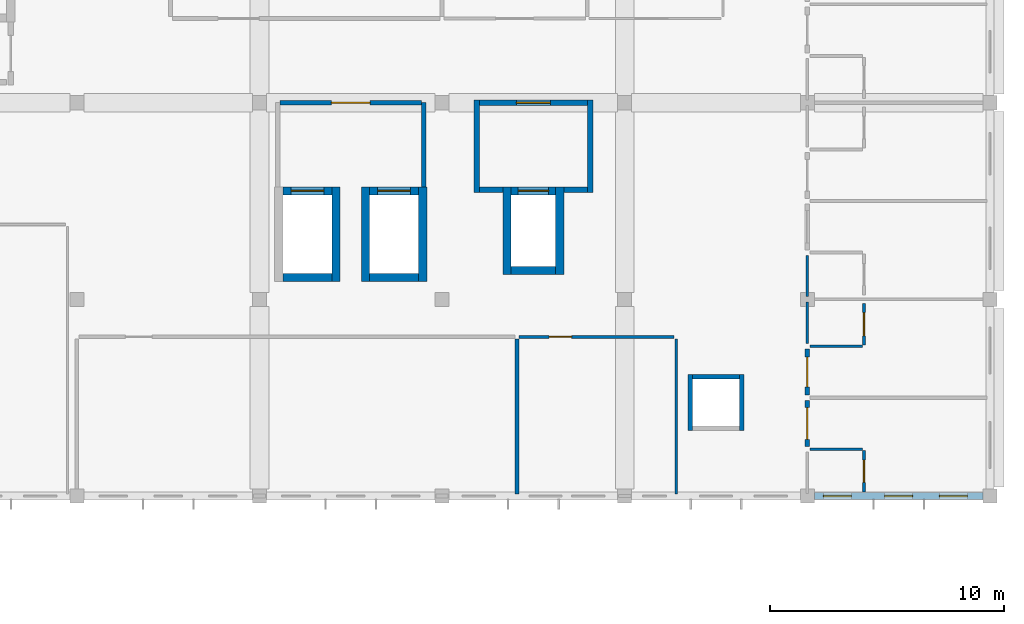
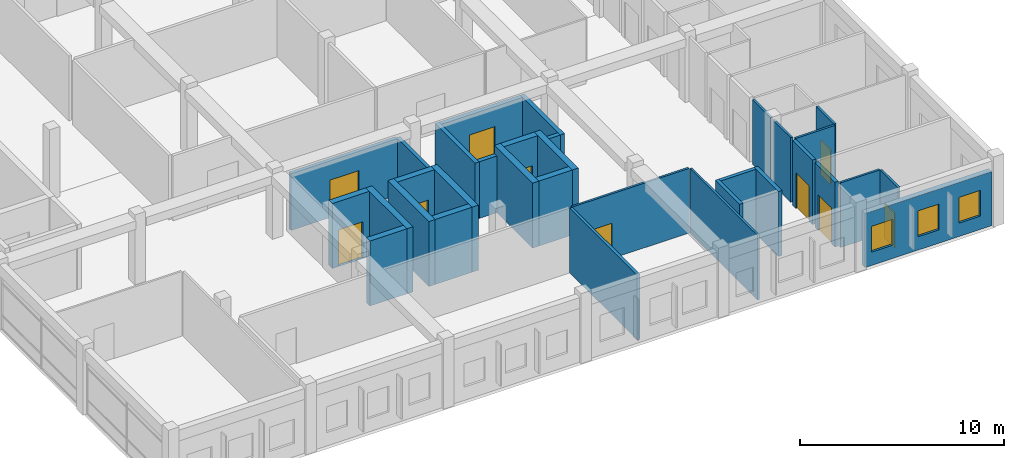
# One storey, part 19 of 32: 33 walls, 10 doors, 3 windows, 13 openings.
"""IFC4 building model written with IfcOpenShell, lengths in metres."""

from ifc_helpers import new_model, si_unit, direction, frame, frame_2d, origin, place, context, subcontext, project, spatial, rectangle, extrude, material, layer, layer_set, type_object, element, fill, save


model = new_model("IFC4")

# Units and contexts
model_context = context("Model", 3, precision=1e-05, world=origin(), true_north=direction((0.0, 1.0)))
body_context = subcontext(model_context, "Body", "Model", "MODEL_VIEW")
ifc_project = project(units=[si_unit("LENGTHUNIT", "METRE"), si_unit("AREAUNIT", "SQUARE_METRE"), si_unit("VOLUMEUNIT", "CUBIC_METRE"), si_unit("PLANEANGLEUNIT", "RADIAN"), si_unit("MASSUNIT", "GRAM", prefix="KILO"), si_unit("THERMODYNAMICTEMPERATUREUNIT", "KELVIN"), si_unit("POWERUNIT", "WATT")], contexts=[model_context])

# Site, building, storey
site_placement = place(None, origin())
site = spatial("IfcSite", under=ifc_project, at=site_placement, CompositionType="ELEMENT")
building_placement = place(site_placement, origin())
building = spatial("IfcBuilding", under=site, at=building_placement, Name="Srebrne Nadtorze General Hospital", CompositionType="ELEMENT")
storey_placement = place(building_placement, frame((0.0, 0.0, 29.699951171875)))
storey = spatial("IfcBuildingStorey", under=building, at=storey_placement, Name="L07", CompositionType="ELEMENT", Elevation=29.699951171875)

# Walls
ifc_material_1 = material(Name="Gypsum Healthcare Partition")
ifc_layer_1 = layer(ifc_material_1, 0.159912109375)
ifc_layer_set_1 = layer_set([ifc_layer_1], Name="Gypsum Healthcare Partition")
wall_type_1 = type_object("IfcWallType", Name="Clinical partition 160", PredefinedType="PARTITIONING", material=ifc_layer_set_1)
wall_1_placement = place(storey_placement, frame((128.0, 33.68505859375, 0.0), z_axis=(0.0, 0.0, 1.0), x_axis=(0.0, 1.0, 0.0)))
element("IfcWall", 1, at=wall_1_placement, inside=storey, type_object=wall_type_1, Name="Inpatient Family Consultation Room wall WL-INT-L07-2463", PredefinedType="PARTITIONING", context=body_context, shape_type="SweptSolid", body=[
    extrude(rectangle(XDim=6.6298828125, YDim=0.159912109375, at=frame_2d((3.31494140625, 0.0))), origin(), (0.0, 0.0, 1.0), 3.880126953125),
])
ifc_material_2 = material(Name="Gypsum Healthcare Partition")
ifc_layer_2 = layer(ifc_material_2, 0.199951171875)
ifc_layer_set_2 = layer_set([ifc_layer_2], Name="Gypsum Healthcare Partition")
wall_type_2 = type_object("IfcWallType", Name="Compartment wall 200", PredefinedType="STANDARD", material=ifc_layer_set_2)
wall_2_placement = place(storey_placement, frame((124.02001953125, 46.81005859375, 0.0), z_axis=(0.0, 0.0, 1.0), x_axis=(0.0, 1.0, 0.0)))
element("IfcWall", 2, at=wall_2_placement, inside=storey, type_object=wall_type_2, Name="Lift lobby side wall WL-INT-L07-1165", PredefinedType="STANDARD", context=body_context, shape_type="SweptSolid", body=[
    extrude(rectangle(XDim=3.58984375, YDim=0.199951171875, at=frame_2d((1.794921875, 0.0))), origin(), (0.0, 0.0, 1.0), 3.400146484375),
])

# Wall, opening, door
wall_3_placement = place(storey_placement, frame((117.8798828125, 50.39990234375, 0.0), z_axis=(0.0, 0.0, 1.0), x_axis=(1.0, 0.0, 0.0)))
wall_3 = element("IfcWall", 3, at=wall_3_placement, inside=storey, type_object=wall_type_2, Name="Lift lobby corridor wall WL-INT-L07-1166", PredefinedType="STANDARD", context=body_context, shape_type="SweptSolid", body=[
    extrude(rectangle(XDim=6.0400390625, YDim=0.199951171875, at=frame_2d((3.02001953125, 0.0))), origin(), (0.0, 0.0, 1.0), 3.400146484375),
])
opening_1_placement = place(wall_3_placement, frame((2.195068359375, 0.0, 0.0)))
opening_1 = element("IfcOpeningElement", 4, at=opening_1_placement, cuts=wall_3, Name="Opening D-L07-0161", PredefinedType="OPENING", context=body_context, shape_type="SweptSolid", body=[
    extrude(rectangle(XDim=1.64990234375, YDim=2.25, at=frame_2d((0.824951171875, 1.125))), frame((0.0, 0.11181640625, 0.0), z_axis=(0.0, -1.0, 0.0), x_axis=(1.0, 0.0, 0.0)), (0.0, 0.0, 1.0), 0.223876953125),
])
ifc_material_3 = material(Name="Anodised Aluminium", Category="aluminium")
door_type_1 = type_object("IfcDoorType", Name="Double leaf door 1650x2250", OperationType="DOUBLE_DOOR_SINGLE_SWING", PredefinedType="DOOR", material=ifc_material_3)
door_1_placement = place(opening_1_placement, origin())
door_1 = element("IfcDoor", 5, at=door_1_placement, inside=storey, type_object=door_type_1, Name="Lift lobby corridor door D-L07-0161", OperationType="DOUBLE_DOOR_SINGLE_SWING", OverallHeight=2.25, OverallWidth=1.64990234375, PredefinedType="DOOR", context=body_context, shape_type="SweptSolid", body=[
    extrude(rectangle(XDim=1.64990234375, YDim=2.25, at=frame_2d((0.824951171875, 1.125))), frame((0.0, 0.02490234375, 0.0), z_axis=(0.0, -1.0, 0.0), x_axis=(1.0, 0.0, 0.0)), (0.0, 0.0, 1.0), 0.050048828125),
])
fill(opening_1, door_1)

# Walls
for number, where, z_axis, x_axis, name in (
    (6, (135.39990234375, 36.39990234375, 0.0), (0.0, 0.0, 1.0), (0.0, 1.0, 0.0), "MEP riser wall WL-INT-L07-1171"),
    (7, (137.60009765625, 36.39990234375, 0.0), (0.0, 0.0, 1.0), (0.0, 1.0, 0.0), "MEP riser wall WL-INT-L07-1172"),
):
    element("IfcWall", number, at=place(storey_placement, frame(where, z_axis=z_axis, x_axis=x_axis)), inside=storey, type_object=wall_type_2, Name=name, PredefinedType="STANDARD", context=body_context, shape_type="SweptSolid", body=[
        extrude(rectangle(XDim=2.400146484375, YDim=0.199951171875, at=frame_2d((1.2001953125, 0.0))), origin(), (0.0, 0.0, 1.0), 3.900146484375),
    ])
wall_4_placement = place(storey_placement, frame((135.5, 38.699951171875, 0.0), z_axis=(0.0, 0.0, 1.0), x_axis=(1.0, 0.0, 0.0)))
element("IfcWall", 8, at=wall_4_placement, inside=storey, type_object=wall_type_2, Name="MEP riser wall WL-INT-L07-1174", PredefinedType="STANDARD", context=body_context, shape_type="SweptSolid", body=[
    extrude(rectangle(XDim=2.0, YDim=0.199951171875, at=frame_2d((1.0, 0.0))), origin(), (0.0, 0.0, 1.0), 3.900146484375),
])

# Wall, opening, door
wall_5_placement = place(storey_placement, frame((140.39990234375, 35.719970703125, 0.0), z_axis=(0.0, 0.0, 1.0), x_axis=(0.0, 1.0, 0.0)))
wall_5 = element("IfcWall", 9, at=wall_5_placement, inside=storey, type_object=wall_type_2, Name="Ward corridor wall WL-INT-L07-2372", PredefinedType="STANDARD", context=body_context, shape_type="SweptSolid", body=[
    extrude(rectangle(XDim=1.9599609375, YDim=0.199951171875, at=frame_2d((0.97998046875, 0.0))), origin(), (0.0, 0.0, 1.0), 3.880126953125),
])
opening_2_placement = place(wall_5_placement, frame((0.304931640625, 0.0, 0.0)))
opening_2 = element("IfcOpeningElement", 10, at=opening_2_placement, cuts=wall_5, Name="Opening D-L07-0537", PredefinedType="OPENING", context=body_context, shape_type="SweptSolid", body=[
    extrude(rectangle(XDim=1.35009765625, YDim=2.14990234375, at=frame_2d((0.675048828125, 1.074951171875))), frame((0.0, 0.11181640625, 0.0), z_axis=(0.0, -1.0, 0.0), x_axis=(1.0, 0.0, 0.0)), (0.0, 0.0, 1.0), 0.223876953125),
])
ifc_material_4 = material(Name="Anodised Aluminium", Category="aluminium")
door_type_2 = type_object("IfcDoorType", Name="Single leaf door 1350x2150", OperationType="NOTDEFINED", PredefinedType="DOOR", material=ifc_material_4)
door_2_placement = place(opening_2_placement, frame((1.35009765625, 0.0, 0.0), z_axis=(0.0, 0.0, 1.0), x_axis=(-1.0, 0.0, 0.0)))
door_2 = element("IfcDoor", 11, at=door_2_placement, inside=storey, type_object=door_type_2, Name="Ward patient room door D-L07-0537", OperationType="SINGLE_SWING_LEFT", OverallHeight=2.14990234375, OverallWidth=1.35009765625, PredefinedType="DOOR", context=body_context, shape_type="SweptSolid", body=[
    extrude(rectangle(XDim=1.35009765625, YDim=2.14990234375, at=frame_2d((0.675048828125, 1.074951171875))), frame((0.0, 0.02490234375, 0.0), z_axis=(0.0, -1.0, 0.0), x_axis=(1.0, 0.0, 0.0)), (0.0, 0.0, 1.0), 0.050048828125),
])
fill(opening_2, door_2)

wall_6_placement = place(storey_placement, frame((140.39990234375, 37.919921875, 0.0), z_axis=(0.0, 0.0, 1.0), x_axis=(0.0, 1.0, 0.0)))
wall_6 = element("IfcWall", 12, at=wall_6_placement, inside=storey, type_object=wall_type_2, Name="Ward corridor wall WL-INT-L07-2377", PredefinedType="STANDARD", context=body_context, shape_type="SweptSolid", body=[
    extrude(rectangle(XDim=1.9599609375, YDim=0.199951171875, at=frame_2d((0.97998046875, 0.0))), origin(), (0.0, 0.0, 1.0), 3.880126953125),
])
opening_3_placement = place(wall_6_placement, frame((0.340087890625, 0.0, 0.0)))
opening_3 = element("IfcOpeningElement", 13, at=opening_3_placement, cuts=wall_6, Name="Opening D-L07-0539", PredefinedType="OPENING", context=body_context, shape_type="SweptSolid", body=[
    extrude(rectangle(XDim=1.280029296875, YDim=2.14990234375, at=frame_2d((0.64013671875, 1.074951171875))), frame((0.0, 0.11181640625, 0.0), z_axis=(0.0, -1.0, 0.0), x_axis=(1.0, 0.0, 0.0)), (0.0, 0.0, 1.0), 0.223876953125),
])
ifc_material_5 = material(Name="Anodised Aluminium", Category="aluminium")
door_type_3 = type_object("IfcDoorType", Name="Single leaf door 1280x2150", OperationType="NOTDEFINED", PredefinedType="DOOR", material=ifc_material_5)
door_3_placement = place(opening_3_placement, frame((1.280029296875, 0.0, 0.0), z_axis=(0.0, 0.0, 1.0), x_axis=(-1.0, 0.0, 0.0)))
door_3 = element("IfcDoor", 14, at=door_3_placement, inside=storey, type_object=door_type_3, Name="Ward patient room door D-L07-0539", OperationType="SINGLE_SWING_LEFT", OverallHeight=2.14990234375, OverallWidth=1.280029296875, PredefinedType="DOOR", context=body_context, shape_type="SweptSolid", body=[
    extrude(rectangle(XDim=1.280029296875, YDim=2.14990234375, at=frame_2d((0.64013671875, 1.074951171875))), frame((0.0, 0.02490234375, 0.0), z_axis=(0.0, -1.0, 0.0), x_axis=(1.0, 0.0, 0.0)), (0.0, 0.0, 1.0), 0.050048828125),
])
fill(opening_3, door_3)

# Walls
ifc_material_6 = material(Name="Gypsum Healthcare Partition")
ifc_layer_3 = layer(ifc_material_6, 0.239990234375)
ifc_layer_set_3 = layer_set([ifc_layer_3], Name="Gypsum Healthcare Partition")
wall_type_3 = type_object("IfcWallType", Name="Corridor fire wall 240", PredefinedType="STANDARD", material=ifc_layer_set_3)
for number, where, z_axis, x_axis, name in (
    (15, (126.280029296875, 46.570068359375, 0.0), (0.0, 0.0, 1.0), (0.0, 1.0, 0.0), "FF lift lobby wall WL-INT-L07-1159"),
    (16, (131.1201171875, 46.570068359375, 0.0), (0.0, 0.0, 1.0), (0.0, 1.0, 0.0), "FF lift lobby wall WL-INT-L07-1160"),
):
    element("IfcWall", number, at=place(storey_placement, frame(where, z_axis=z_axis, x_axis=x_axis)), inside=storey, type_object=wall_type_3, Name=name, PredefinedType="STANDARD", context=body_context, shape_type="SweptSolid", body=[
        extrude(rectangle(XDim=3.949951171875, YDim=0.239990234375, at=frame_2d((1.97509765625, 0.0))), origin(), (0.0, 0.0, 1.0), 3.400146484375),
    ])
for number, where, z_axis, x_axis, name in (
    (17, (126.39990234375, 46.68994140625, 0.0), (0.0, 0.0, 1.0), (1.0, 0.0, 0.0), "FF lift lobby return wall WL-INT-L07-1161"),
    (18, (130.0, 46.68994140625, 0.0), (0.0, 0.0, 1.0), (1.0, 0.0, 0.0), "FF lift lobby return wall WL-INT-L07-1162"),
):
    element("IfcWall", number, at=place(storey_placement, frame(where, z_axis=z_axis, x_axis=x_axis)), inside=storey, type_object=wall_type_3, Name=name, PredefinedType="STANDARD", context=body_context, shape_type="SweptSolid", body=[
        extrude(rectangle(XDim=1.0, YDim=0.239990234375, at=frame_2d((0.5, 0.0))), origin(), (0.0, 0.0, 1.0), 3.400146484375),
    ])

# Wall, opening, door
wall_7_placement = place(storey_placement, frame((126.39990234375, 50.39990234375, 0.0), z_axis=(0.0, 0.0, 1.0), x_axis=(1.0, 0.0, 0.0)))
wall_7 = element("IfcWall", 19, at=wall_7_placement, inside=storey, type_object=wall_type_3, Name="FF lift lobby front wall WL-INT-L07-1163", PredefinedType="STANDARD", context=body_context, shape_type="SweptSolid", body=[
    extrude(rectangle(XDim=4.60009765625, YDim=0.239990234375, at=frame_2d((2.300048828125, 0.0))), origin(), (0.0, 0.0, 1.0), 3.400146484375),
])
opening_4_placement = place(wall_7_placement, frame((1.574951171875, 0.0, 0.0)))
opening_4 = element("IfcOpeningElement", 20, at=opening_4_placement, cuts=wall_7, Name="Opening D-L07-0160", PredefinedType="OPENING", context=body_context, shape_type="SweptSolid", body=[
    extrude(rectangle(XDim=1.449951171875, YDim=2.199951171875, at=frame_2d((0.72509765625, 1.10009765625))), frame((0.0, 0.1318359375, 0.0), z_axis=(0.0, -1.0, 0.0), x_axis=(1.0, 0.0, 0.0)), (0.0, 0.0, 1.0), 0.263916015625),
])
ifc_material_7 = material(Name="Anodised Aluminium", Category="aluminium")
door_type_4 = type_object("IfcDoorType", Name="Double leaf door 1450x2200", OperationType="DOUBLE_DOOR_SINGLE_SWING", PredefinedType="DOOR", material=ifc_material_7)
door_4_placement = place(opening_4_placement, origin())
door_4 = element("IfcDoor", 21, at=door_4_placement, inside=storey, type_object=door_type_4, Name="Firefighting lift lobby door D-L07-0160", OperationType="DOUBLE_DOOR_SINGLE_SWING", OverallHeight=2.199951171875, OverallWidth=1.449951171875, PredefinedType="DOOR", context=body_context, shape_type="SweptSolid", body=[
    extrude(rectangle(XDim=1.449951171875, YDim=2.199951171875, at=frame_2d((0.72509765625, 1.10009765625))), frame((0.0, 0.02490234375, 0.0), z_axis=(0.0, -1.0, 0.0), x_axis=(1.0, 0.0, 0.0)), (0.0, 0.0, 1.0), 0.050048828125),
])
fill(opening_4, door_4)

# Wall
ifc_material_8 = material(Name="Gypsum Healthcare Partition")
ifc_layer_4 = layer(ifc_material_8, 0.1201171875)
ifc_layer_set_4 = layer_set([ifc_layer_4], Name="Gypsum Healthcare Partition")
wall_type_4 = type_object("IfcWallType", Name="En-suite partition 120", PredefinedType="PARTITIONING", material=ifc_layer_set_4)
wall_8_placement = place(storey_placement, frame((140.52001953125, 35.60009765625, 0.0), z_axis=(0.0, 0.0, 1.0), x_axis=(1.0, 0.0, 0.0)))
element("IfcWall", 22, at=wall_8_placement, inside=storey, type_object=wall_type_4, Name="En-suite wet wall WL-INT-L07-2374", PredefinedType="PARTITIONING", context=body_context, shape_type="SweptSolid", body=[
    extrude(rectangle(XDim=2.239990234375, YDim=0.1201171875, at=frame_2d((1.1201171875, 0.0))), origin(), (0.0, 0.0, 1.0), 3.880126953125),
])

# Wall, opening, door
wall_9_placement = place(storey_placement, frame((142.820068359375, 33.780029296875, 0.0), z_axis=(0.0, 0.0, 1.0), x_axis=(0.0, 1.0, 0.0)))
wall_9 = element("IfcWall", 23, at=wall_9_placement, inside=storey, type_object=wall_type_4, Name="En-suite wet wall WL-INT-L07-2375", PredefinedType="PARTITIONING", context=body_context, shape_type="SweptSolid", body=[
    extrude(rectangle(XDim=1.760009765625, YDim=0.1201171875, at=frame_2d((0.8798828125, 0.0))), origin(), (0.0, 0.0, 1.0), 3.880126953125),
])
opening_5_placement = place(wall_9_placement, frame((0.405029296875, 0.0, 0.0)))
opening_5 = element("IfcOpeningElement", 24, at=opening_5_placement, cuts=wall_9, Name="Opening D-L07-0538", PredefinedType="OPENING", context=body_context, shape_type="SweptSolid", body=[
    extrude(rectangle(XDim=0.949951171875, YDim=2.10009765625, at=frame_2d((0.47509765625, 1.050048828125))), frame((0.0, 0.072021484375, 0.0), z_axis=(0.0, -1.0, 0.0), x_axis=(1.0, 0.0, 0.0)), (0.0, 0.0, 1.0), 0.14404296875),
])
ifc_material_9 = material(Name="Anodised Aluminium", Category="aluminium")
door_type_5 = type_object("IfcDoorType", Name="Single leaf door 950x2100", OperationType="NOTDEFINED", PredefinedType="DOOR", material=ifc_material_9)
door_5_placement = place(opening_5_placement, origin())
door_5 = element("IfcDoor", 25, at=door_5_placement, inside=storey, type_object=door_type_5, Name="En-suite bathroom door D-L07-0538", OperationType="SINGLE_SWING_LEFT", OverallHeight=2.10009765625, OverallWidth=0.949951171875, PredefinedType="DOOR", context=body_context, shape_type="SweptSolid", body=[
    extrude(rectangle(XDim=0.949951171875, YDim=2.10009765625, at=frame_2d((0.47509765625, 1.050048828125))), frame((0.0, 0.02490234375, 0.0), z_axis=(0.0, -1.0, 0.0), x_axis=(1.0, 0.0, 0.0)), (0.0, 0.0, 1.0), 0.050048828125),
])
fill(opening_5, door_5)

# Walls
wall_10_placement = place(storey_placement, frame((140.39990234375, 40.1201171875, 0.0), z_axis=(0.0, 0.0, 1.0), x_axis=(0.0, 1.0, 0.0)))
element("IfcWall", 26, at=wall_10_placement, inside=storey, type_object=wall_type_4, Name="En-suite corridor wall WL-INT-L07-2378", PredefinedType="PARTITIONING", context=body_context, shape_type="SweptSolid", body=[
    extrude(rectangle(XDim=1.759765625, YDim=0.1201171875, at=frame_2d((0.8798828125, 0.0))), origin(), (0.0, 0.0, 1.0), 3.880126953125),
])
wall_11_placement = place(storey_placement, frame((140.52001953125, 40.0, 0.0), z_axis=(0.0, 0.0, 1.0), x_axis=(1.0, 0.0, 0.0)))
element("IfcWall", 27, at=wall_11_placement, inside=storey, type_object=wall_type_4, Name="En-suite wet wall WL-INT-L07-2379", PredefinedType="PARTITIONING", context=body_context, shape_type="SweptSolid", body=[
    extrude(rectangle(XDim=2.239990234375, YDim=0.1201171875, at=frame_2d((1.1201171875, 0.0))), origin(), (0.0, 0.0, 1.0), 3.880126953125),
])

# Wall, opening, door
wall_12_placement = place(storey_placement, frame((142.820068359375, 40.06005859375, 0.0), z_axis=(0.0, 0.0, 1.0), x_axis=(0.0, 1.0, 0.0)))
wall_12 = element("IfcWall", 28, at=wall_12_placement, inside=storey, type_object=wall_type_4, Name="En-suite wet wall WL-INT-L07-2380", PredefinedType="PARTITIONING", context=body_context, shape_type="SweptSolid", body=[
    extrude(rectangle(XDim=1.760009765625, YDim=0.1201171875, at=frame_2d((0.8798828125, 0.0))), origin(), (0.0, 0.0, 1.0), 3.880126953125),
])
opening_6_placement = place(wall_12_placement, frame((0.3798828125, 0.0, 0.0)))
opening_6 = element("IfcOpeningElement", 29, at=opening_6_placement, cuts=wall_12, Name="Opening D-L07-0540", PredefinedType="OPENING", context=body_context, shape_type="SweptSolid", body=[
    extrude(rectangle(XDim=1.0, YDim=2.10009765625, at=frame_2d((0.5, 1.050048828125))), frame((0.0, 0.072021484375, 0.0), z_axis=(0.0, -1.0, 0.0), x_axis=(1.0, 0.0, 0.0)), (0.0, 0.0, 1.0), 0.14404296875),
])
ifc_material_10 = material(Name="Anodised Aluminium", Category="aluminium")
door_type_6 = type_object("IfcDoorType", Name="Single leaf door 1000x2100", OperationType="NOTDEFINED", PredefinedType="DOOR", material=ifc_material_10)
door_6_placement = place(opening_6_placement, origin())
door_6 = element("IfcDoor", 30, at=door_6_placement, inside=storey, type_object=door_type_6, Name="En-suite bathroom door D-L07-0540", OperationType="SINGLE_SWING_LEFT", OverallHeight=2.10009765625, OverallWidth=1.0, PredefinedType="DOOR", context=body_context, shape_type="SweptSolid", body=[
    extrude(rectangle(XDim=1.0, YDim=2.10009765625, at=frame_2d((0.5, 1.050048828125))), frame((0.0, 0.02490234375, 0.0), z_axis=(0.0, -1.0, 0.0), x_axis=(1.0, 0.0, 0.0)), (0.0, 0.0, 1.0), 0.050048828125),
])
fill(opening_6, door_6)

# Wall
wall_13_placement = place(storey_placement, frame((140.39990234375, 42.1201171875, 0.0), z_axis=(0.0, 0.0, 1.0), x_axis=(0.0, 1.0, 0.0)))
element("IfcWall", 31, at=wall_13_placement, inside=storey, type_object=wall_type_4, Name="En-suite corridor wall WL-INT-L07-2383", PredefinedType="PARTITIONING", context=body_context, shape_type="SweptSolid", body=[
    extrude(rectangle(XDim=1.759765625, YDim=0.1201171875, at=frame_2d((0.8798828125, 0.0))), origin(), (0.0, 0.0, 1.0), 3.880126953125),
])

# Wall, opening, door
wall_14_placement = place(storey_placement, frame((128.0849609375, 40.39990234375, 0.0), z_axis=(0.0, 0.0, 1.0), x_axis=(1.0, 0.0, 0.0)))
wall_14 = element("IfcWall", 32, at=wall_14_placement, inside=storey, type_object=wall_type_4, Name="Accessible WC wall WL-INT-L07-2467", PredefinedType="PARTITIONING", context=body_context, shape_type="SweptSolid", body=[
    extrude(rectangle(XDim=6.630126953125, YDim=0.1201171875, at=frame_2d((3.31494140625, 0.0))), origin(), (0.0, 0.0, 1.0), 3.880126953125),
])
opening_7_placement = place(wall_14_placement, frame((1.283935546875, 0.0, 0.0)))
opening_7 = element("IfcOpeningElement", 33, at=opening_7_placement, cuts=wall_14, Name="Opening D-L07-0572", PredefinedType="OPENING", context=body_context, shape_type="SweptSolid", body=[
    extrude(rectangle(XDim=0.9599609375, YDim=2.1201171875, at=frame_2d((0.47998046875, 1.06005859375))), frame((0.0, 0.072021484375, 0.0), z_axis=(0.0, -1.0, 0.0), x_axis=(1.0, 0.0, 0.0)), (0.0, 0.0, 1.0), 0.14404296875),
])
ifc_material_11 = material(Name="Anodised Aluminium", Category="aluminium")
door_type_7 = type_object("IfcDoorType", Name="Single leaf door 960x2120", OperationType="NOTDEFINED", PredefinedType="DOOR", material=ifc_material_11)
door_7_placement = place(opening_7_placement, frame((0.9599609375, 0.0, 0.0), z_axis=(0.0, 0.0, 1.0), x_axis=(-1.0, 0.0, 0.0)))
door_7 = element("IfcDoor", 34, at=door_7_placement, inside=storey, type_object=door_type_7, Name="Accessible WC door D-L07-0572", OperationType="SINGLE_SWING_RIGHT", OverallHeight=2.1201171875, OverallWidth=0.9599609375, PredefinedType="DOOR", context=body_context, shape_type="SweptSolid", body=[
    extrude(rectangle(XDim=0.9599609375, YDim=2.1201171875, at=frame_2d((0.47998046875, 1.06005859375))), frame((0.0, 0.02490234375, 0.0), z_axis=(0.0, -1.0, 0.0), x_axis=(1.0, 0.0, 0.0)), (0.0, 0.0, 1.0), 0.050048828125),
])
fill(opening_7, door_7)

# Wall
wall_15_placement = place(storey_placement, frame((134.800048828125, 33.68505859375, 0.0), z_axis=(0.0, 0.0, 1.0), x_axis=(0.0, 1.0, 0.0)))
element("IfcWall", 35, at=wall_15_placement, inside=storey, type_object=wall_type_4, Name="Accessible WC wall WL-INT-L07-2469", PredefinedType="PARTITIONING", context=body_context, shape_type="SweptSolid", body=[
    extrude(rectangle(XDim=6.6298828125, YDim=0.1201171875, at=frame_2d((3.31494140625, 0.0))), origin(), (0.0, 0.0, 1.0), 3.880126953125),
])

# Wall, openings, windows
ifc_material_12 = material(Name="Concrete C40/50 precast", Category="concrete")
ifc_layer_5 = layer(ifc_material_12, 0.300048828125)
ifc_layer_set_5 = layer_set([ifc_layer_5], Name="Concrete C40/50 precast")
wall_type_5 = type_object("IfcWallType", Name="Limestone precast wall 300", PredefinedType="STANDARD", material=ifc_layer_set_5)
wall_16_placement = place(storey_placement, frame((140.699951171875, 33.60009765625, 0.0), z_axis=(0.0, 0.0, 1.0), x_axis=(1.0, 0.0, 0.0)))
wall_16 = element("IfcWall", 36, at=wall_16_placement, inside=storey, type_object=wall_type_5, Name="Exterior wall WL-ENV-L07-0515", PredefinedType="STANDARD", context=body_context, shape_type="SweptSolid", body=[
    extrude(rectangle(XDim=7.199951171875, YDim=0.300048828125, at=frame_2d((3.60009765625, 0.0))), origin(), (0.0, 0.0, 1.0), 3.25),
])
opening_8_placement = place(wall_16_placement, frame((0.3798828125, 0.0, 0.800048828125)))
opening_8 = element("IfcOpeningElement", 37, at=opening_8_placement, cuts=wall_16, Name="Opening WN-L07-0863", PredefinedType="OPENING", context=body_context, shape_type="SweptSolid", body=[
    extrude(rectangle(XDim=1.199951171875, YDim=1.550048828125, at=frame_2d((0.60009765625, 0.77490234375))), frame((0.0, 0.162109375, 0.0), z_axis=(0.0, -1.0, 0.0), x_axis=(1.0, 0.0, 0.0)), (0.0, 0.0, 1.0), 0.323974609375),
])
opening_9_placement = place(wall_16_placement, frame((3.0, 0.0, 0.800048828125)))
opening_9 = element("IfcOpeningElement", 38, at=opening_9_placement, cuts=wall_16, Name="Opening WN-L07-0864", PredefinedType="OPENING", context=body_context, shape_type="SweptSolid", body=[
    extrude(rectangle(XDim=1.199951171875, YDim=1.550048828125, at=frame_2d((0.60009765625, 0.77490234375))), frame((0.0, 0.162109375, 0.0), z_axis=(0.0, -1.0, 0.0), x_axis=(1.0, 0.0, 0.0)), (0.0, 0.0, 1.0), 0.323974609375),
])
opening_10_placement = place(wall_16_placement, frame((5.340087890625, 0.0, 0.800048828125)))
opening_10 = element("IfcOpeningElement", 39, at=opening_10_placement, cuts=wall_16, Name="Opening WN-L07-0865", PredefinedType="OPENING", context=body_context, shape_type="SweptSolid", body=[
    extrude(rectangle(XDim=1.199951171875, YDim=1.550048828125, at=frame_2d((0.60009765625, 0.77490234375))), frame((0.0, 0.162109375, 0.0), z_axis=(0.0, -1.0, 0.0), x_axis=(1.0, 0.0, 0.0)), (0.0, 0.0, 1.0), 0.323974609375),
])
ifc_material_13 = material(Name="Triple Low-E Glazing", Category="glass")
window_type = type_object("IfcWindowType", Name="Punched clinical window 1200x1550", PartitioningType="SINGLE_PANEL", PredefinedType="WINDOW", material=ifc_material_13)
window_1_placement = place(opening_8_placement, origin())
window_1 = element("IfcWindow", 40, at=window_1_placement, inside=storey, type_object=window_type, Name="Clinical window WN-L07-0863", OverallHeight=1.550048828125, OverallWidth=1.199951171875, PartitioningType="SINGLE_PANEL", PredefinedType="WINDOW", context=body_context, shape_type="SweptSolid", body=[
    extrude(rectangle(XDim=1.199951171875, YDim=1.550048828125, at=frame_2d((0.60009765625, 0.77490234375))), frame((0.0, 0.030029296875, 0.0), z_axis=(0.0, -1.0, 0.0), x_axis=(1.0, 0.0, 0.0)), (0.0, 0.0, 1.0), 0.06005859375),
])
fill(opening_8, window_1)
window_2_placement = place(opening_9_placement, origin())
window_2 = element("IfcWindow", 41, at=window_2_placement, inside=storey, type_object=window_type, Name="Clinical window WN-L07-0864", OverallHeight=1.550048828125, OverallWidth=1.199951171875, PartitioningType="SINGLE_PANEL", PredefinedType="WINDOW", context=body_context, shape_type="SweptSolid", body=[
    extrude(rectangle(XDim=1.199951171875, YDim=1.550048828125, at=frame_2d((0.60009765625, 0.77490234375))), frame((0.0, 0.030029296875, 0.0), z_axis=(0.0, -1.0, 0.0), x_axis=(1.0, 0.0, 0.0)), (0.0, 0.0, 1.0), 0.06005859375),
])
fill(opening_9, window_2)
window_3_placement = place(opening_10_placement, origin())
window_3 = element("IfcWindow", 42, at=window_3_placement, inside=storey, type_object=window_type, Name="Clinical window WN-L07-0865", OverallHeight=1.550048828125, OverallWidth=1.199951171875, PartitioningType="SINGLE_PANEL", PredefinedType="WINDOW", context=body_context, shape_type="SweptSolid", body=[
    extrude(rectangle(XDim=1.199951171875, YDim=1.550048828125, at=frame_2d((0.60009765625, 0.77490234375))), frame((0.0, 0.030029296875, 0.0), z_axis=(0.0, -1.0, 0.0), x_axis=(1.0, 0.0, 0.0)), (0.0, 0.0, 1.0), 0.06005859375),
])
fill(opening_10, window_3)

# Walls
ifc_material_14 = material(Name="Concrete C40/50", Category="concrete")
ifc_layer_6 = layer(ifc_material_14, 0.35009765625)
ifc_layer_set_6 = layer_set([ifc_layer_6], Name="Concrete C40/50")
wall_type_6 = type_object("IfcWallType", Name="Shear core wall 350", PredefinedType="SHEAR", material=ifc_layer_set_6)
wall_17_placement = place(storey_placement, frame((120.27490234375, 42.760009765625, 0.0), z_axis=(0.0, 0.0, 1.0), x_axis=(0.0, 1.0, 0.0)))
element("IfcWall", 43, at=wall_17_placement, inside=storey, type_object=wall_type_6, Name="Lift shaft wall LS-03 WL-INT-L07-0795", PredefinedType="SHEAR", context=body_context, shape_type="SweptSolid", body=[
    extrude(rectangle(XDim=4.050048828125, YDim=0.35009765625, at=frame_2d((2.02490234375, 0.0))), origin(), (0.0, 0.0, 1.0), 3.900146484375),
])
wall_18_placement = place(storey_placement, frame((118.0, 42.93505859375, 0.0), z_axis=(0.0, 0.0, 1.0), x_axis=(1.0, 0.0, 0.0)))
element("IfcWall", 44, at=wall_18_placement, inside=storey, type_object=wall_type_6, Name="Lift shaft back wall LS-03 WL-INT-L07-0796", PredefinedType="SHEAR", context=body_context, shape_type="SweptSolid", body=[
    extrude(rectangle(XDim=2.10009765625, YDim=0.35009765625, at=frame_2d((1.050048828125, 0.0))), origin(), (0.0, 0.0, 1.0), 3.900146484375),
])

# Wall, opening, door
wall_19_placement = place(storey_placement, frame((118.0, 46.635009765625, 0.0), z_axis=(0.0, 0.0, 1.0), x_axis=(1.0, 0.0, 0.0)))
wall_19 = element("IfcWall", 45, at=wall_19_placement, inside=storey, type_object=wall_type_6, Name="Lift shaft front wall LS-03 WL-INT-L07-0797", PredefinedType="SHEAR", context=body_context, shape_type="SweptSolid", body=[
    extrude(rectangle(XDim=2.10009765625, YDim=0.35009765625, at=frame_2d((1.050048828125, 0.0))), origin(), (0.0, 0.0, 1.0), 3.900146484375),
])
opening_11_placement = place(wall_19_placement, frame((0.35009765625, 0.0, 0.0)))
opening_11 = element("IfcOpeningElement", 46, at=opening_11_placement, cuts=wall_19, Name="Opening LD-L07-083", PredefinedType="OPENING", context=body_context, shape_type="SweptSolid", body=[
    extrude(rectangle(XDim=1.39990234375, YDim=2.199951171875, at=frame_2d((0.699951171875, 1.10009765625))), frame((0.0, 0.18701171875, 0.0), z_axis=(0.0, -1.0, 0.0), x_axis=(1.0, 0.0, 0.0)), (0.0, 0.0, 1.0), 0.3740234375),
])
ifc_material_15 = material(Name="Anodised Aluminium", Category="aluminium")
door_type_8 = type_object("IfcDoorType", Name="Sliding lift door 1400x2200", OperationType="SLIDING_TO_LEFT", PredefinedType="DOOR", material=ifc_material_15)
door_8_placement = place(opening_11_placement, origin())
door_8 = element("IfcDoor", 47, at=door_8_placement, inside=storey, type_object=door_type_8, Name="Lift Landing Door LD-L07-083", OperationType="SLIDING_TO_LEFT", OverallHeight=2.199951171875, OverallWidth=1.39990234375, PredefinedType="DOOR", context=body_context, shape_type="SweptSolid", body=[
    extrude(rectangle(XDim=1.39990234375, YDim=2.199951171875, at=frame_2d((0.699951171875, 1.10009765625))), frame((0.0, 0.02490234375, 0.0), z_axis=(0.0, -1.0, 0.0), x_axis=(1.0, 0.0, 0.0)), (0.0, 0.0, 1.0), 0.050048828125),
])
fill(opening_11, door_8)

# Walls
for number, where, z_axis, x_axis, name in (
    (48, (121.52490234375, 42.760009765625, 0.0), (0.0, 0.0, 1.0), (0.0, 1.0, 0.0), "Lift shaft wall LS-04 WL-INT-L07-0830"),
    (49, (123.97509765625, 42.760009765625, 0.0), (0.0, 0.0, 1.0), (0.0, 1.0, 0.0), "Lift shaft wall LS-04 WL-INT-L07-0831"),
):
    element("IfcWall", number, at=place(storey_placement, frame(where, z_axis=z_axis, x_axis=x_axis)), inside=storey, type_object=wall_type_6, Name=name, PredefinedType="SHEAR", context=body_context, shape_type="SweptSolid", body=[
        extrude(rectangle(XDim=4.050048828125, YDim=0.35009765625, at=frame_2d((2.02490234375, 0.0))), origin(), (0.0, 0.0, 1.0), 3.900146484375),
    ])
wall_20_placement = place(storey_placement, frame((121.699951171875, 42.93505859375, 0.0), z_axis=(0.0, 0.0, 1.0), x_axis=(1.0, 0.0, 0.0)))
element("IfcWall", 50, at=wall_20_placement, inside=storey, type_object=wall_type_6, Name="Lift shaft back wall LS-04 WL-INT-L07-0832", PredefinedType="SHEAR", context=body_context, shape_type="SweptSolid", body=[
    extrude(rectangle(XDim=2.10009765625, YDim=0.35009765625, at=frame_2d((1.050048828125, 0.0))), origin(), (0.0, 0.0, 1.0), 3.900146484375),
])

# Wall, opening, door
wall_21_placement = place(storey_placement, frame((121.699951171875, 46.635009765625, 0.0), z_axis=(0.0, 0.0, 1.0), x_axis=(1.0, 0.0, 0.0)))
wall_21 = element("IfcWall", 51, at=wall_21_placement, inside=storey, type_object=wall_type_6, Name="Lift shaft front wall LS-04 WL-INT-L07-0833", PredefinedType="SHEAR", context=body_context, shape_type="SweptSolid", body=[
    extrude(rectangle(XDim=2.10009765625, YDim=0.35009765625, at=frame_2d((1.050048828125, 0.0))), origin(), (0.0, 0.0, 1.0), 3.900146484375),
])
opening_12_placement = place(wall_21_placement, frame((0.35009765625, 0.0, 0.0)))
opening_12 = element("IfcOpeningElement", 52, at=opening_12_placement, cuts=wall_21, Name="Opening LD-L07-092", PredefinedType="OPENING", context=body_context, shape_type="SweptSolid", body=[
    extrude(rectangle(XDim=1.39990234375, YDim=2.199951171875, at=frame_2d((0.699951171875, 1.10009765625))), frame((0.0, 0.18701171875, 0.0), z_axis=(0.0, -1.0, 0.0), x_axis=(1.0, 0.0, 0.0)), (0.0, 0.0, 1.0), 0.3740234375),
])
door_9_placement = place(opening_12_placement, origin())
door_9 = element("IfcDoor", 53, at=door_9_placement, inside=storey, type_object=door_type_8, Name="Lift Landing Door LD-L07-092", OperationType="SLIDING_TO_LEFT", OverallHeight=2.199951171875, OverallWidth=1.39990234375, PredefinedType="DOOR", context=body_context, shape_type="SweptSolid", body=[
    extrude(rectangle(XDim=1.39990234375, YDim=2.199951171875, at=frame_2d((0.699951171875, 1.10009765625))), frame((0.0, 0.02490234375, 0.0), z_axis=(0.0, -1.0, 0.0), x_axis=(1.0, 0.0, 0.0)), (0.0, 0.0, 1.0), 0.050048828125),
])
fill(opening_12, door_9)

# Walls
for number, where, z_axis, x_axis, name in (
    (54, (127.574951171875, 43.06005859375, 0.0), (0.0, 0.0, 1.0), (0.0, 1.0, 0.0), "Lift shaft wall FL-03 WL-INT-L07-0866"),
    (55, (129.824951171875, 43.06005859375, 0.0), (0.0, 0.0, 1.0), (0.0, 1.0, 0.0), "Lift shaft wall FL-03 WL-INT-L07-0867"),
):
    element("IfcWall", number, at=place(storey_placement, frame(where, z_axis=z_axis, x_axis=x_axis)), inside=storey, type_object=wall_type_6, Name=name, PredefinedType="SHEAR", context=body_context, shape_type="SweptSolid", body=[
        extrude(rectangle(XDim=3.75, YDim=0.35009765625, at=frame_2d((1.875, 0.0))), origin(), (0.0, 0.0, 1.0), 3.900146484375),
    ])
wall_22_placement = place(storey_placement, frame((127.75, 43.235107421875, 0.0), z_axis=(0.0, 0.0, 1.0), x_axis=(1.0, 0.0, 0.0)))
element("IfcWall", 56, at=wall_22_placement, inside=storey, type_object=wall_type_6, Name="Lift shaft back wall FL-03 WL-INT-L07-0868", PredefinedType="SHEAR", context=body_context, shape_type="SweptSolid", body=[
    extrude(rectangle(XDim=1.89990234375, YDim=0.35009765625, at=frame_2d((0.949951171875, 0.0))), origin(), (0.0, 0.0, 1.0), 3.900146484375),
])

# Wall, opening, door
wall_23_placement = place(storey_placement, frame((127.75, 46.635009765625, 0.0), z_axis=(0.0, 0.0, 1.0), x_axis=(1.0, 0.0, 0.0)))
wall_23 = element("IfcWall", 57, at=wall_23_placement, inside=storey, type_object=wall_type_6, Name="Lift shaft front wall FL-03 WL-INT-L07-0869", PredefinedType="SHEAR", context=body_context, shape_type="SweptSolid", body=[
    extrude(rectangle(XDim=1.89990234375, YDim=0.35009765625, at=frame_2d((0.949951171875, 0.0))), origin(), (0.0, 0.0, 1.0), 3.900146484375),
])
opening_13_placement = place(wall_23_placement, frame((0.300048828125, 0.0, 0.0)))
opening_13 = element("IfcOpeningElement", 58, at=opening_13_placement, cuts=wall_23, Name="Opening LD-L07-101", PredefinedType="OPENING", context=body_context, shape_type="SweptSolid", body=[
    extrude(rectangle(XDim=1.300048828125, YDim=2.199951171875, at=frame_2d((0.64990234375, 1.10009765625))), frame((0.0, 0.18701171875, 0.0), z_axis=(0.0, -1.0, 0.0), x_axis=(1.0, 0.0, 0.0)), (0.0, 0.0, 1.0), 0.3740234375),
])
ifc_material_16 = material(Name="Anodised Aluminium", Category="aluminium")
door_type_9 = type_object("IfcDoorType", Name="Sliding lift door 1300x2200", OperationType="SLIDING_TO_LEFT", PredefinedType="DOOR", material=ifc_material_16)
door_10_placement = place(opening_13_placement, origin())
door_10 = element("IfcDoor", 59, at=door_10_placement, inside=storey, type_object=door_type_9, Name="Lift Landing Door LD-L07-101", OperationType="SLIDING_TO_LEFT", OverallHeight=2.199951171875, OverallWidth=1.300048828125, PredefinedType="DOOR", context=body_context, shape_type="SweptSolid", body=[
    extrude(rectangle(XDim=1.300048828125, YDim=2.199951171875, at=frame_2d((0.64990234375, 1.10009765625))), frame((0.0, 0.02490234375, 0.0), z_axis=(0.0, -1.0, 0.0), x_axis=(1.0, 0.0, 0.0)), (0.0, 0.0, 1.0), 0.050048828125),
])
fill(opening_13, door_10)

save(model, "model.ifc")
